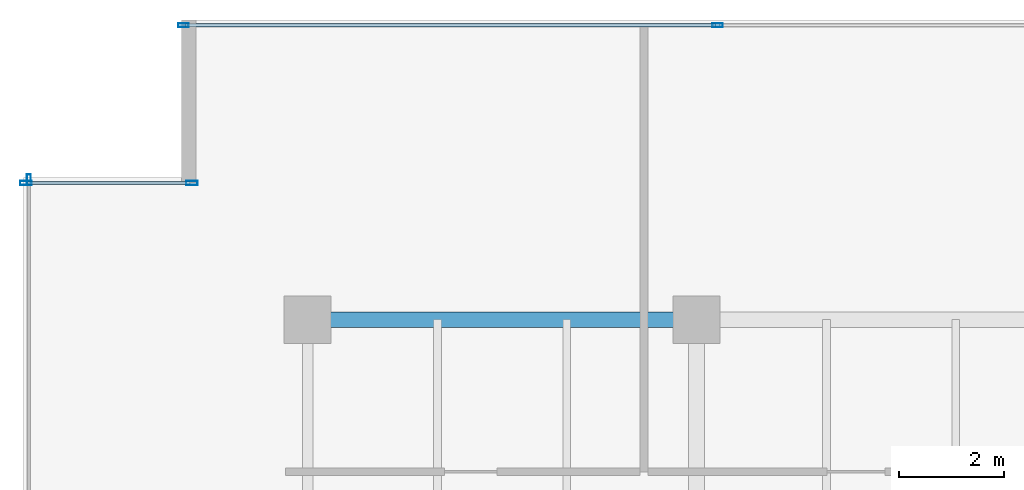
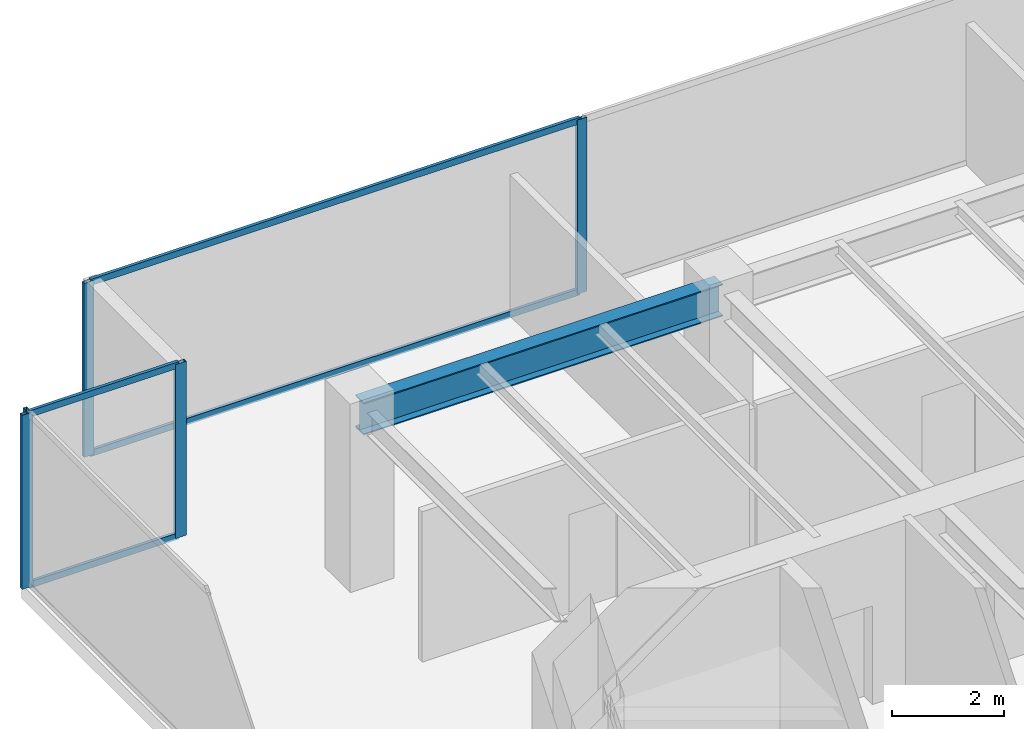
# One storey, part 14 of 30: 9 members, 1 beam, 3 elements without a shape of their own.
"""IFC4 building model written with IfcOpenShell, lengths in metres."""

from ifc_helpers import new_model, si_unit, direction, frame, origin, origin_2d, place, context, subcontext, project, spatial, hollow_rectangle, i_section, extrude, source, transform, mapped, material, layer, layer_set, material_profile, profile_set, type_object, type_shapes, element, aggregate, save


model = new_model("IFC4")

# Units and contexts
model_context = context("Model", 3, precision=1e-05, world=origin(), true_north=direction((0.0, 1.0)))
body_context = subcontext(model_context, "Body", "Model", "MODEL_VIEW")
ifc_project = project(units=[si_unit("LENGTHUNIT", "METRE"), si_unit("AREAUNIT", "SQUARE_METRE"), si_unit("VOLUMEUNIT", "CUBIC_METRE"), si_unit("PLANEANGLEUNIT", "RADIAN"), si_unit("MASSUNIT", "GRAM", prefix="KILO")], contexts=[model_context])

# Site, building, storey
site_placement = place(None, origin())
site = spatial("IfcSite", under=ifc_project, at=site_placement, CompositionType="ELEMENT")
building_placement = place(site_placement, origin())
building = spatial("IfcBuilding", under=site, at=building_placement, Name="Haelvirn Gate Laboratories", CompositionType="ELEMENT")
storey_placement = place(building_placement, frame((0.0, 0.0, 170.699951171875)))
storey = spatial("IfcBuildingStorey", under=building, at=storey_placement, Name="L41", CompositionType="ELEMENT", Elevation=170.699951171875)

# Beam
ifc_material_1 = material(Name="Steel SM355", Category="steel")
ifc_material_profile_1 = material_profile(ifc_material_1, i_section(OverallWidth=0.300048828125, OverallDepth=0.699951171875, WebThickness=0.012939453125, FlangeThickness=0.02392578125, at=origin_2d()), Name="H-700x300x13x24")
ifc_profile_set_1 = profile_set([ifc_material_profile_1], Name="Steel SM355")
beam_type = type_object("IfcBeamType", Name="BM-G-700", PredefinedType="BEAM", material=ifc_profile_set_1)
shared_shape_1 = source(origin(), body_context, "Body", "SweptSolid", [
    extrude(i_section(OverallWidth=0.300048828125, OverallDepth=0.699951171875, WebThickness=0.012939453125, FlangeThickness=0.02392578125, at=origin_2d()), origin(), (0.0, 0.0, 1.0), 7.400146484375),
])
type_shapes(beam_type, [shared_shape_1])
beam_placement = place(storey_placement, frame((7.39990234375, 41.60009765625, 3.43994140625), z_axis=(1.0, 0.0, 0.0), x_axis=(0.0, 1.0, 0.0)))
element("IfcBeam", 1, at=beam_placement, inside=storey, type_object=beam_type, Name="L41 Primary Girder Y41.6 (7.4-14.8)", PredefinedType="BEAM", context=body_context, shape_type="MappedRepresentation", body=[
    mapped(shared_shape_1, transform((0.0, 0.0, 0.0), scale=1.0)),
])

# Curtain wall, members
ifc_material_2 = material(Name="Anodised bronze unitised aluminium & triple low-E glass", Category="aluminium")
ifc_layer_1 = layer(ifc_material_2, 0.179931640625, Name="CW-SYS-3")
ifc_layer_set_1 = layer_set([ifc_layer_1], Name="Anodised bronze unitised aluminium & triple low-E glass")
curtain_wall_type_1 = type_object("IfcCurtainWallType", Name="CW-SYS-3", PredefinedType="NOTDEFINED", material=ifc_layer_set_1)
curtain_wall_1_placement = place(storey_placement, origin())
curtain_wall_1 = element("IfcCurtainWall", 2, at=curtain_wall_1_placement, inside=storey, type_object=curtain_wall_type_1, Name="L41 Unitised Curtain Wall CW-L41-P0-E14-1", PredefinedType="NOTDEFINED")
ifc_material_3 = material(Name="Extruded aluminium 6063-T6 (anodised bronze)", Category="aluminium")
ifc_material_profile_2 = material_profile(ifc_material_3, hollow_rectangle(XDim=0.06494140625, YDim=0.139892578125, WallThickness=0.00390625, at=origin_2d()), Name="CWT-140x65x4")
ifc_profile_set_2 = profile_set([ifc_material_profile_2], Name="Extruded aluminium 6063-T6 (anodised bronze)")
member_type_1 = type_object("IfcMemberType", Name="CWT-T140", PredefinedType="USERDEFINED", material=ifc_profile_set_2)
shared_shape_2 = source(origin(), body_context, "Body", "SweptSolid", [
    extrude(hollow_rectangle(XDim=0.06494140625, YDim=0.139892578125, WallThickness=0.00390625, at=origin_2d()), origin(), (0.0, 0.0, 1.0), 10.087646484375),
])
member_1_placement = place(storey_placement, frame((5.074951171875, 47.199951171875, 0.032470703125), z_axis=(1.0, 0.0, 0.0), x_axis=(0.0, 1.0, 0.0)))
member_1 = element("IfcMember", 3, at=member_1_placement, type_object=member_type_1, Name="CW3 transom 1.1", ObjectType="TRANSOM", PredefinedType="USERDEFINED", context=body_context, shape_type="MappedRepresentation", body=[
    mapped(shared_shape_2, transform((0.0, 0.0, 0.0), scale=1.0)),
])
member_2_placement = place(storey_placement, frame((5.074951171875, 47.199951171875, 3.757568359375), z_axis=(1.0, 0.0, 0.0), x_axis=(0.0, 1.0, 0.0)))
member_2 = element("IfcMember", 4, at=member_2_placement, type_object=member_type_1, Name="CW3 transom 1.2", ObjectType="TRANSOM", PredefinedType="USERDEFINED", context=body_context, shape_type="MappedRepresentation", body=[
    mapped(shared_shape_2, transform((0.0, 0.0, 0.0), scale=1.0)),
])

ifc_layer_2 = layer(ifc_material_2, 0.181884765625, Name="CW-SYS-5")
ifc_layer_set_2 = layer_set([ifc_layer_2], Name="Anodised bronze unitised aluminium & triple low-E glass")
curtain_wall_type_2 = type_object("IfcCurtainWallType", Name="CW-SYS-5", PredefinedType="NOTDEFINED", material=ifc_layer_set_2)
curtain_wall_2_placement = place(storey_placement, origin())
curtain_wall_2 = element("IfcCurtainWall", 5, at=curtain_wall_2_placement, inside=storey, type_object=curtain_wall_type_2, Name="L41 Unitised Curtain Wall CW-L41-P0-E16-1", PredefinedType="NOTDEFINED")
shared_shape_3 = source(origin(), body_context, "Body", "SweptSolid", [
    extrude(hollow_rectangle(XDim=0.06494140625, YDim=0.139892578125, WallThickness=0.00390625, at=origin_2d()), origin(), (0.0, 0.0, 1.0), 3.079833984375),
])
type_shapes(member_type_1, [shared_shape_2, shared_shape_3])
member_3_placement = place(storey_placement, frame((2.080078125, 44.199951171875, 0.032470703125), z_axis=(1.0, 0.0, 0.0), x_axis=(0.0, 1.0, 0.0)))
member_3 = element("IfcMember", 6, at=member_3_placement, type_object=member_type_1, Name="CW5 transom 1.1", ObjectType="TRANSOM", PredefinedType="USERDEFINED", context=body_context, shape_type="MappedRepresentation", body=[
    mapped(shared_shape_3, transform((0.0, 0.0, 0.0), scale=1.0)),
])
member_4_placement = place(storey_placement, frame((2.080078125, 44.199951171875, 3.757568359375), z_axis=(1.0, 0.0, 0.0), x_axis=(0.0, 1.0, 0.0)))
member_4 = element("IfcMember", 7, at=member_4_placement, type_object=member_type_1, Name="CW5 transom 1.2", ObjectType="TRANSOM", PredefinedType="USERDEFINED", context=body_context, shape_type="MappedRepresentation", body=[
    mapped(shared_shape_3, transform((0.0, 0.0, 0.0), scale=1.0)),
])

# Member
ifc_material_profile_3 = material_profile(ifc_material_3, hollow_rectangle(XDim=0.074951171875, YDim=0.199951171875, WallThickness=0.0048828125, at=origin_2d()), Name="CWM-200x75x5")
ifc_profile_set_3 = profile_set([ifc_material_profile_3], Name="Extruded aluminium 6063-T6 (anodised bronze)")
member_type_2 = type_object("IfcMemberType", Name="CWM-T200", PredefinedType="MULLION", material=ifc_profile_set_3)
shared_shape_4 = source(origin(), body_context, "Body", "SweptSolid", [
    extrude(hollow_rectangle(XDim=0.074951171875, YDim=0.199951171875, WallThickness=0.0048828125, at=origin_2d()), origin(), (0.0, 0.0, 1.0), 3.7900390625),
])
type_shapes(member_type_2, [shared_shape_4])
member_5_placement = place(storey_placement, frame((5.03759765625, 47.199951171875, 0.0), z_axis=(0.0, 0.0, 1.0), x_axis=(0.0, 1.0, 0.0)))
member_5 = element("IfcMember", 8, at=member_5_placement, type_object=member_type_2, Name="CW3 mullion 1", PredefinedType="MULLION", context=body_context, shape_type="MappedRepresentation", body=[
    mapped(shared_shape_4, transform((0.0, 0.0, 0.0), scale=1.0)),
])

member_6_placement = place(storey_placement, frame((15.199951171875, 47.199951171875, 0.0), z_axis=(0.0, 0.0, 1.0), x_axis=(0.0, 1.0, 0.0)))
member_6 = element("IfcMember", 9, at=member_6_placement, type_object=member_type_2, Name="CW3 mullion 2", PredefinedType="MULLION", context=body_context, shape_type="MappedRepresentation", body=[
    mapped(shared_shape_4, transform((0.0, 0.0, 0.0), scale=1.0)),
])

aggregate(curtain_wall_1, [member_5, member_6, member_1, member_2])

# Curtain wall, member
curtain_wall_3_placement = place(storey_placement, origin())
curtain_wall_3 = element("IfcCurtainWall", 10, at=curtain_wall_3_placement, inside=storey, type_object=curtain_wall_type_1, Name="L41 Unitised Curtain Wall CW-L41-P0-E17", PredefinedType="NOTDEFINED")
member_7_placement = place(storey_placement, frame((2.10009765625, 44.262451171875, 0.0), z_axis=(0.0, 0.0, 1.0), x_axis=(1.0, 0.0, 0.0)))
member_7 = element("IfcMember", 11, at=member_7_placement, type_object=member_type_2, Name="CW3 mullion 1", PredefinedType="MULLION", context=body_context, shape_type="MappedRepresentation", body=[
    mapped(shared_shape_4, transform((0.0, 0.0, 0.0), scale=1.0)),
])
aggregate(curtain_wall_3, [member_7])

# Member
ifc_material_profile_4 = material_profile(ifc_material_3, hollow_rectangle(XDim=0.080078125, YDim=0.219970703125, WallThickness=0.006103515625, at=origin_2d()), Name="CWM-220x80x6")
ifc_profile_set_4 = profile_set([ifc_material_profile_4], Name="Extruded aluminium 6063-T6 (anodised bronze)")
member_type_3 = type_object("IfcMemberType", Name="CWM-T220", PredefinedType="MULLION", material=ifc_profile_set_4)
shared_shape_5 = source(origin(), body_context, "Body", "SweptSolid", [
    extrude(hollow_rectangle(XDim=0.080078125, YDim=0.219970703125, WallThickness=0.006103515625, at=origin_2d()), origin(), (0.0, 0.0, 1.0), 3.7900390625),
])
type_shapes(member_type_3, [shared_shape_5])
member_8_placement = place(storey_placement, frame((2.0400390625, 44.199951171875, 0.0), z_axis=(0.0, 0.0, 1.0), x_axis=(0.0, 1.0, 0.0)))
member_8 = element("IfcMember", 12, at=member_8_placement, type_object=member_type_3, Name="CW5 mullion 1", PredefinedType="MULLION", context=body_context, shape_type="MappedRepresentation", body=[
    mapped(shared_shape_5, transform((0.0, 0.0, 0.0), scale=1.0)),
])

member_9_placement = place(storey_placement, frame((5.199951171875, 44.199951171875, 0.0), z_axis=(0.0, 0.0, 1.0), x_axis=(0.0, 1.0, 0.0)))
member_9 = element("IfcMember", 13, at=member_9_placement, type_object=member_type_3, Name="CW5 mullion 2", PredefinedType="MULLION", context=body_context, shape_type="MappedRepresentation", body=[
    mapped(shared_shape_5, transform((0.0, 0.0, 0.0), scale=1.0)),
])

aggregate(curtain_wall_2, [member_8, member_9, member_3, member_4])

save(model, "model.ifc")
